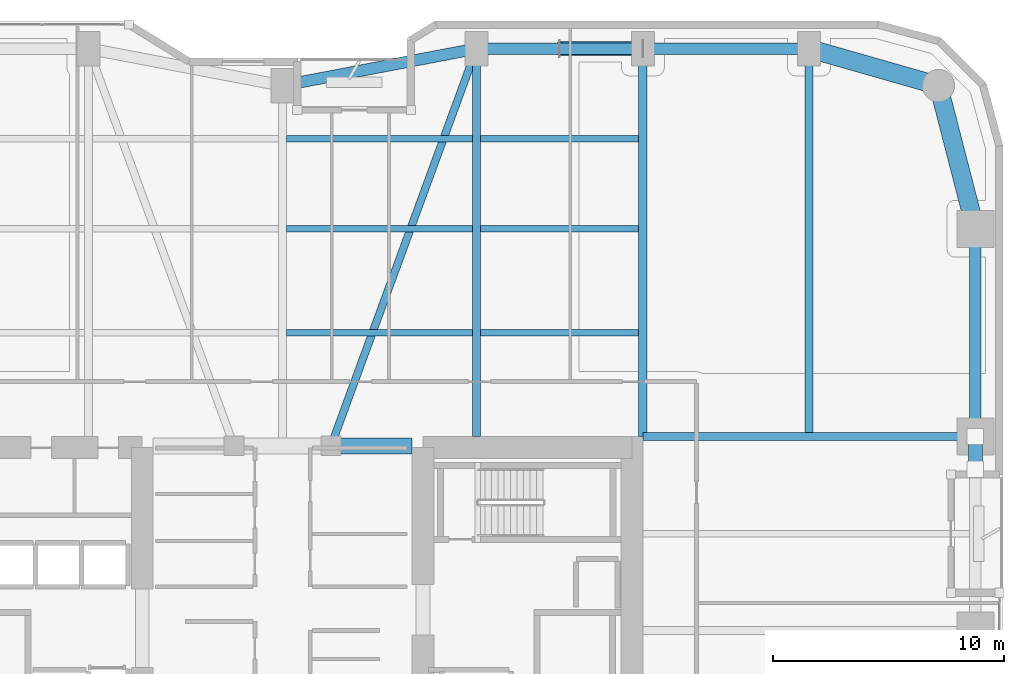
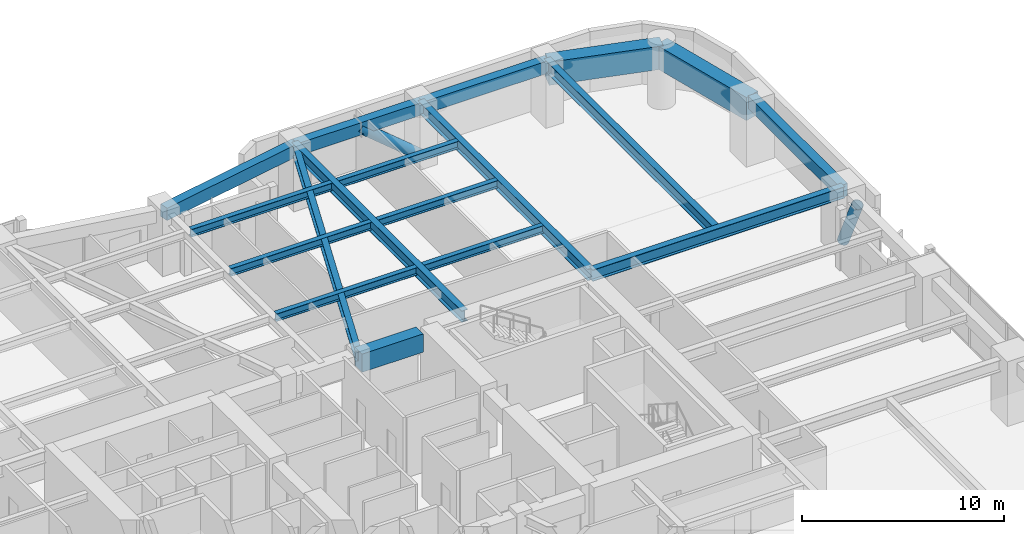
# One storey, part 18 of 28: 18 beams, 2 members.
"""IFC4 building model written with IfcOpenShell, lengths in metres."""

from ifc_helpers import new_model, si_unit, direction, frame, origin, origin_2d, place, context, subcontext, project, spatial, rectangle, hollow_circle, i_section, extrude, material, material_profile, profile_set, type_object, element, save


model = new_model("IFC4")

# Units and contexts
model_context = context("Model", 3, precision=1e-05, world=origin(), true_north=direction((0.0, 1.0)))
body_context = subcontext(model_context, "Body", "Model", "MODEL_VIEW")
ifc_project = project(units=[si_unit("LENGTHUNIT", "METRE"), si_unit("AREAUNIT", "SQUARE_METRE"), si_unit("VOLUMEUNIT", "CUBIC_METRE"), si_unit("PLANEANGLEUNIT", "RADIAN"), si_unit("MASSUNIT", "GRAM", prefix="KILO")], contexts=[model_context])

# Site, building, storey
site_placement = place(None, origin())
site = spatial("IfcSite", under=ifc_project, at=site_placement, CompositionType="ELEMENT")
building_placement = place(site_placement, origin())
building = spatial("IfcBuilding", under=site, at=building_placement, Name="Kiyonajd Concourse Tower", CompositionType="ELEMENT")
storey_placement = place(building_placement, frame((0.0, 0.0, 41.10009765625)))
storey = spatial("IfcBuildingStorey", under=building, at=storey_placement, Name="L11", CompositionType="ELEMENT", Elevation=41.10009765625)

# Beams
ifc_material_1 = material(Name="Concrete C70/85", Category="concrete")
ifc_material_profile_1 = material_profile(ifc_material_1, rectangle(XDim=0.699951171875, YDim=1.10009765625, at=origin_2d()), Name="RCBM-700x1100")
ifc_profile_set_1 = profile_set([ifc_material_profile_1], Name="Concrete C70/85")
beam_type_1 = type_object("IfcBeamType", Name="BM-COUP-1100", PredefinedType="LINTEL", material=ifc_profile_set_1)
beam_1_placement = place(storey_placement, frame((50.10009765625, 44.0, 3.08984375), z_axis=(1.0, 0.0, 0.0), x_axis=(0.0, 1.0, 0.0)))
element("IfcBeam", 1, at=beam_1_placement, inside=storey, type_object=beam_type_1, Name="L11 Core Coupling Beam N3", PredefinedType="LINTEL", context=body_context, shape_type="SweptSolid", body=[
    extrude(rectangle(XDim=0.699951171875, YDim=1.10009765625, at=origin_2d()), origin(), (0.0, 0.0, 1.0), 3.5),
])
ifc_material_2 = material(Name="Steel ASTM A992 Grade 50", Category="steel")
ifc_material_profile_2 = material_profile(ifc_material_2, i_section(OverallWidth=0.280029296875, OverallDepth=0.462890625, WebThickness=0.0107421875, FlangeThickness=0.017333984375, at=origin_2d()), Name="W460X113")
ifc_profile_set_2 = profile_set([ifc_material_profile_2], Name="Steel ASTM A992 Grade 50")
beam_type_2 = type_object("IfcBeamType", Name="BM-JST-460A", PredefinedType="JOIST", material=ifc_profile_set_2)
beam_2_placement = place(storey_placement, frame((48.177490234375, 48.89990234375, 3.408447265625), z_axis=(1.0, 0.0, 0.0), x_axis=(0.0, 1.0, 0.0)))
element("IfcBeam", 2, at=beam_2_placement, inside=storey, type_object=beam_type_2, Name="L11 Secondary Floor Joist", PredefinedType="JOIST", context=body_context, shape_type="SweptSolid", body=[
    extrude(i_section(OverallWidth=0.280029296875, OverallDepth=0.462890625, WebThickness=0.0107421875, FlangeThickness=0.017333984375, at=origin_2d()), origin(), (0.0, 0.0, 1.0), 8.044921875),
])
beam_3_placement = place(storey_placement, frame((56.577392578125, 48.89990234375, 3.408447265625), z_axis=(1.0, 0.0, 0.0), x_axis=(0.0, 1.0, 0.0)))
element("IfcBeam", 3, at=beam_3_placement, inside=storey, type_object=beam_type_2, Name="L11 Secondary Floor Joist", PredefinedType="JOIST", context=body_context, shape_type="SweptSolid", body=[
    extrude(i_section(OverallWidth=0.280029296875, OverallDepth=0.462890625, WebThickness=0.0107421875, FlangeThickness=0.017333984375, at=origin_2d()), origin(), (0.0, 0.0, 1.0), 6.84521484375),
])
beam_4_placement = place(storey_placement, frame((48.177490234375, 53.39990234375, 3.408447265625), z_axis=(1.0, 0.0, 0.0), x_axis=(0.0, 1.0, 0.0)))
element("IfcBeam", 4, at=beam_4_placement, inside=storey, type_object=beam_type_2, Name="L11 Secondary Floor Joist", PredefinedType="JOIST", context=body_context, shape_type="SweptSolid", body=[
    extrude(i_section(OverallWidth=0.280029296875, OverallDepth=0.462890625, WebThickness=0.0107421875, FlangeThickness=0.017333984375, at=origin_2d()), origin(), (0.0, 0.0, 1.0), 8.044921875),
])
beam_5_placement = place(storey_placement, frame((56.577392578125, 53.39990234375, 3.408447265625), z_axis=(1.0, 0.0, 0.0), x_axis=(0.0, 1.0, 0.0)))
element("IfcBeam", 5, at=beam_5_placement, inside=storey, type_object=beam_type_2, Name="L11 Secondary Floor Joist", PredefinedType="JOIST", context=body_context, shape_type="SweptSolid", body=[
    extrude(i_section(OverallWidth=0.280029296875, OverallDepth=0.462890625, WebThickness=0.0107421875, FlangeThickness=0.017333984375, at=origin_2d()), origin(), (0.0, 0.0, 1.0), 6.84521484375),
])
beam_6_placement = place(storey_placement, frame((48.177490234375, 57.300048828125, 3.408447265625), z_axis=(1.0, 0.0, 0.0), x_axis=(0.0, 1.0, 0.0)))
element("IfcBeam", 6, at=beam_6_placement, inside=storey, type_object=beam_type_2, Name="L11 Secondary Floor Joist", PredefinedType="JOIST", context=body_context, shape_type="SweptSolid", body=[
    extrude(i_section(OverallWidth=0.280029296875, OverallDepth=0.462890625, WebThickness=0.0107421875, FlangeThickness=0.017333984375, at=origin_2d()), origin(), (0.0, 0.0, 1.0), 8.044921875),
])
beam_7_placement = place(storey_placement, frame((56.577392578125, 57.300048828125, 3.408447265625), z_axis=(1.0, 0.0, 0.0), x_axis=(0.0, 1.0, 0.0)))
element("IfcBeam", 7, at=beam_7_placement, inside=storey, type_object=beam_type_2, Name="L11 Secondary Floor Joist", PredefinedType="JOIST", context=body_context, shape_type="SweptSolid", body=[
    extrude(i_section(OverallWidth=0.280029296875, OverallDepth=0.462890625, WebThickness=0.0107421875, FlangeThickness=0.017333984375, at=origin_2d()), origin(), (0.0, 0.0, 1.0), 6.84521484375),
])
ifc_material_3 = material(Name="Precast concrete C50/60", Category="concrete")
ifc_material_profile_3 = material_profile(ifc_material_3, rectangle(XDim=0.5, YDim=0.75, at=origin_2d()), Name="RCBM-500x750")
ifc_profile_set_3 = profile_set([ifc_material_profile_3], Name="Precast concrete C50/60")
beam_type_3 = type_object("IfcBeamType", Name="BM-SPAN-RC", PredefinedType="SPANDREL", material=ifc_profile_set_3)
beam_8_placement = place(storey_placement, frame((78.0, 44.39990234375, 3.264892578125), z_axis=(0.0, 1.0, 0.0), x_axis=(-1.0, 0.0, 0.0)))
element("IfcBeam", 8, at=beam_8_placement, inside=storey, type_object=beam_type_3, Name="L11 Perimeter Bundled Tube Spandrel", PredefinedType="SPANDREL", context=body_context, shape_type="SweptSolid", body=[
    extrude(rectangle(XDim=0.5, YDim=0.75, at=origin_2d()), origin(), (0.0, 0.0, 1.0), 9.0),
])
beam_9_placement = place(storey_placement, frame((70.800048828125, 61.199951171875, 3.264892578125), z_axis=(-1.0, 0.0, 0.0), x_axis=(0.0, -1.0, 0.0)))
element("IfcBeam", 9, at=beam_9_placement, inside=storey, type_object=beam_type_3, Name="L11 Perimeter Bundled Tube Spandrel", PredefinedType="SPANDREL", context=body_context, shape_type="SweptSolid", body=[
    extrude(rectangle(XDim=0.5, YDim=0.75, at=origin_2d()), origin(), (0.0, 0.0, 1.0), 7.199951171875),
])
beam_10_placement = place(storey_placement, frame((63.60009765625, 61.199951171875, 3.264892578125), z_axis=(-1.0, 0.0, 0.0), x_axis=(0.0, -1.0, 0.0)))
element("IfcBeam", 10, at=beam_10_placement, inside=storey, type_object=beam_type_3, Name="L11 Perimeter Bundled Tube Spandrel", PredefinedType="SPANDREL", context=body_context, shape_type="SweptSolid", body=[
    extrude(rectangle(XDim=0.5, YDim=0.75, at=origin_2d()), origin(), (0.0, 0.0, 1.0), 7.2001953125),
])
beam_11_placement = place(storey_placement, frame((56.39990234375, 61.199951171875, 3.264892578125), z_axis=(-0.982341315253, -0.187097675953, 0.0), x_axis=(0.187097675953, -0.982341315253, 0.0)))
element("IfcBeam", 11, at=beam_11_placement, inside=storey, type_object=beam_type_3, Name="L11 Perimeter Bundled Tube Spandrel", PredefinedType="SPANDREL", context=body_context, shape_type="SweptSolid", body=[
    extrude(rectangle(XDim=0.5, YDim=0.75, at=origin_2d()), origin(), (0.0, 0.0, 1.0), 8.55078125),
])
ifc_material_profile_4 = material_profile(ifc_material_2, i_section(OverallWidth=0.326904296875, OverallDepth=0.6220703125, WebThickness=0.015380859375, FlangeThickness=0.0244140625, at=origin_2d()), Name="W610X195")
ifc_profile_set_4 = profile_set([ifc_material_profile_4], Name="Steel ASTM A992 Grade 50")
beam_type_4 = type_object("IfcBeamType", Name="BM-TWR-610A", PredefinedType="BEAM", material=ifc_profile_set_4)
beam_12_placement = place(storey_placement, frame((50.10009765625, 44.0, 3.328857421875), z_axis=(0.343925269715, 0.938997022813, 0.0), x_axis=(-0.938997022813, 0.343925269715, 0.0)))
element("IfcBeam", 12, at=beam_12_placement, inside=storey, type_object=beam_type_4, Name="L11 Core Tie Girder", PredefinedType="BEAM", context=body_context, shape_type="SweptSolid", body=[
    extrude(i_section(OverallWidth=0.326904296875, OverallDepth=0.6220703125, WebThickness=0.015380859375, FlangeThickness=0.0244140625, at=origin_2d()), origin(), (0.0, 0.0, 1.0), 18.3173828125),
])
ifc_material_profile_5 = material_profile(ifc_material_2, i_section(OverallWidth=0.35498046875, OverallDepth=0.695068359375, WebThickness=0.015380859375, FlangeThickness=0.02490234375, at=origin_2d()), Name="W690X217")
ifc_profile_set_5 = profile_set([ifc_material_profile_5], Name="Steel ASTM A992 Grade 50")
beam_type_5 = type_object("IfcBeamType", Name="BM-TWR-690", PredefinedType="BEAM", material=ifc_profile_set_5)
for number, where, z_axis, x_axis, name in (
    (13, (56.39990234375, 44.39990234375, 3.29248046875), (0.0, 1.0, 0.0), (-1.0, 0.0, 0.0), "L11 North Lease Girder"),
    (14, (63.60009765625, 44.39990234375, 3.29248046875), (0.0, 1.0, 0.0), (-1.0, 0.0, 0.0), "L11 North Lease Girder"),
    (15, (70.800048828125, 44.39990234375, 3.29248046875), (0.0, 1.0, 0.0), (-1.0, 0.0, 0.0), "L11 North Lease Girder"),
):
    element("IfcBeam", number, at=place(storey_placement, frame(where, z_axis=z_axis, x_axis=x_axis)), inside=storey, type_object=beam_type_5, Name=name, PredefinedType="BEAM", context=body_context, shape_type="SweptSolid", body=[
        extrude(i_section(OverallWidth=0.35498046875, OverallDepth=0.695068359375, WebThickness=0.015380859375, FlangeThickness=0.02490234375, at=origin_2d()), origin(), (0.0, 0.0, 1.0), 16.800048828125),
    ])
beam_13_placement = place(storey_placement, frame((63.60009765625, 44.39990234375, 3.29248046875), z_axis=(1.0, 0.0, 0.0), x_axis=(0.0, 1.0, 0.0)))
element("IfcBeam", 16, at=beam_13_placement, inside=storey, type_object=beam_type_5, Name="L11 East Lease Girder", PredefinedType="BEAM", context=body_context, shape_type="SweptSolid", body=[
    extrude(i_section(OverallWidth=0.35498046875, OverallDepth=0.695068359375, WebThickness=0.015380859375, FlangeThickness=0.02490234375, at=origin_2d()), origin(), (0.0, 0.0, 1.0), 14.39990234375),
])
ifc_material_4 = material(Name="Concrete C60/75", Category="concrete")
ifc_material_profile_6 = material_profile(ifc_material_4, rectangle(XDim=0.800048828125, YDim=1.39990234375, at=origin_2d()), Name="RCBM-800x1400")
ifc_profile_set_6 = profile_set([ifc_material_profile_6], Name="Concrete C60/75")
beam_type_6 = type_object("IfcBeamType", Name="BM-XFER-RC", PredefinedType="BEAM", material=ifc_profile_set_6)
beam_14_placement = place(storey_placement, frame((78.0, 53.39990234375, 2.93994140625), z_axis=(-0.249884937687, 0.968275538221, 0.0), x_axis=(-0.968275538221, -0.249884937687, 0.0)))
element("IfcBeam", 17, at=beam_14_placement, inside=storey, type_object=beam_type_6, Name="L11 Perimeter Bundled Tube Spandrel", PredefinedType="BEAM", context=body_context, shape_type="SweptSolid", body=[
    extrude(rectangle(XDim=0.800048828125, YDim=1.39990234375, at=origin_2d()), origin(), (0.0, 0.0, 1.0), 6.4033203125),
])
beam_15_placement = place(storey_placement, frame((76.39990234375, 59.60009765625, 2.93994140625), z_axis=(-0.961528693205, 0.274704517878, 0.0), x_axis=(-0.274704517878, -0.961528693205, 0.0)))
element("IfcBeam", 18, at=beam_15_placement, inside=storey, type_object=beam_type_6, Name="L11 Perimeter Bundled Tube Spandrel", PredefinedType="BEAM", context=body_context, shape_type="SweptSolid", body=[
    extrude(rectangle(XDim=0.800048828125, YDim=1.39990234375, at=origin_2d()), origin(), (0.0, 0.0, 1.0), 5.823974609375),
])

# Members
ifc_material_5 = material(Name="Steel ASTM A572 Grade 50", Category="steel")
ifc_material_profile_7 = material_profile(ifc_material_5, hollow_circle(Radius=0.304931640625, WallThickness=0.02490234375, at=origin_2d()), Name="CHS-610x25")
ifc_profile_set_7 = profile_set([ifc_material_profile_7], Name="Steel ASTM A572 Grade 50")
member_type = type_object("IfcMemberType", Name="MB-PB-LOW", PredefinedType="BRACE", material=ifc_profile_set_7)
member_1_placement = place(storey_placement, frame((63.60009765625, 61.199951171875, 0.2998046875), z_axis=(-0.769280705518, 0.0, 0.638910945373), x_axis=(0.0, -1.0, 0.0)))
element("IfcMember", 19, at=member_1_placement, inside=storey, type_object=member_type, Name="L11 Lower Zone Welded Tube Brace PBN", PredefinedType="BRACE", context=body_context, shape_type="SweptSolid", body=[
    extrude(hollow_circle(Radius=0.304931640625, WallThickness=0.02490234375, at=origin_2d()), origin(), (0.0, 0.0, 1.0), 4.679931640625),
])
member_2_placement = place(storey_placement, frame((78.0, 44.39990234375, 0.2998046875), z_axis=(0.0, -0.424022702926, 0.905651559598), x_axis=(1.0, 0.0, 0.0)))
element("IfcMember", 20, at=member_2_placement, inside=storey, type_object=member_type, Name="L11 Lower Zone Welded Tube Brace PBE", PredefinedType="BRACE", context=body_context, shape_type="SweptSolid", body=[
    extrude(hollow_circle(Radius=0.304931640625, WallThickness=0.02490234375, at=origin_2d()), origin(), (0.0, 0.0, 1.0), 3.301513671875),
])

save(model, "model.ifc")
